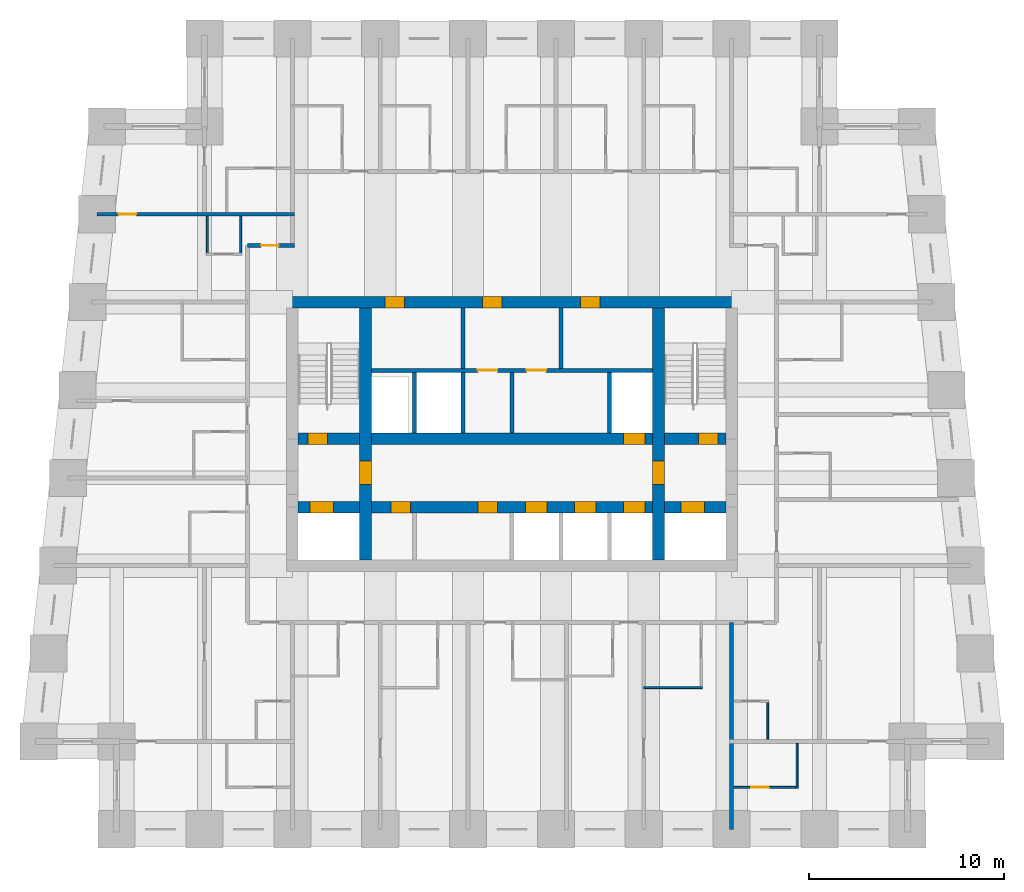
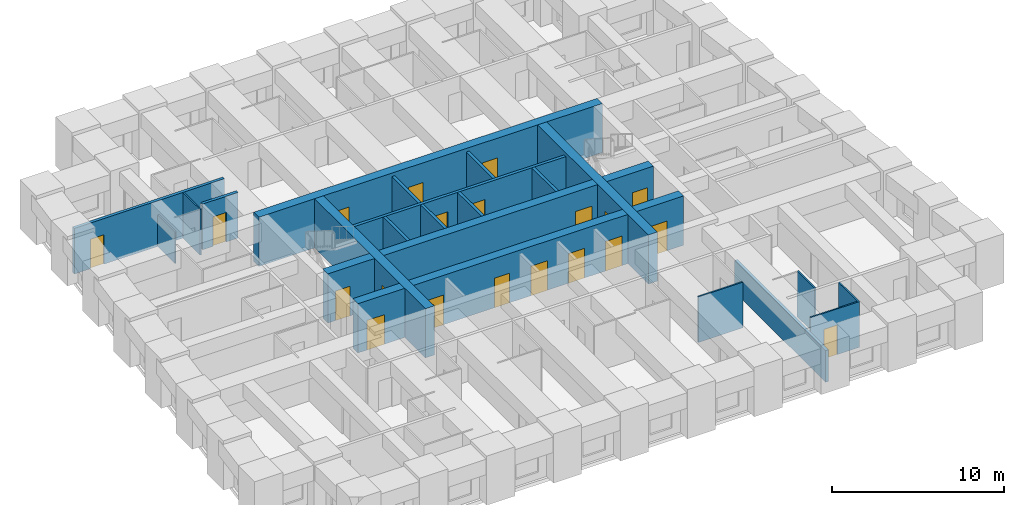
# One storey, part 4 of 8: 21 walls, 20 doors, 20 openings.
"""IFC4 building model written with IfcOpenShell, lengths in metres."""

from ifc_helpers import new_model, si_unit, direction, frame, frame_2d, origin, place, context, subcontext, project, spatial, rectangle, extrude, material, layer, layer_set, type_object, element, fill, save


model = new_model("IFC4")

# Units and contexts
model_context = context("Model", 3, precision=1e-05, world=origin(), true_north=direction((0.0, 1.0)))
body_context = subcontext(model_context, "Body", "Model", "MODEL_VIEW")
ifc_project = project(units=[si_unit("LENGTHUNIT", "METRE"), si_unit("AREAUNIT", "SQUARE_METRE"), si_unit("VOLUMEUNIT", "CUBIC_METRE"), si_unit("PLANEANGLEUNIT", "RADIAN"), si_unit("MASSUNIT", "GRAM", prefix="KILO")], contexts=[model_context])

# Site, building, storey
site_placement = place(None, origin())
site = spatial("IfcSite", under=ifc_project, at=site_placement, CompositionType="ELEMENT")
building_placement = place(site_placement, origin())
building = spatial("IfcBuilding", under=site, at=building_placement, Name="Kilele Tower Hotel", CompositionType="ELEMENT")
storey_placement = place(building_placement, frame((0.0, 0.0, 93.39990234375)))
storey = spatial("IfcBuildingStorey", under=building, at=storey_placement, Name="L23", CompositionType="ELEMENT", Elevation=93.39990234375)

# Walls
ifc_material_1 = material(Name="Moisture-resistant board")
ifc_layer_1 = layer(ifc_material_1, 0.10009765625)
ifc_layer_set_1 = layer_set([ifc_layer_1], Name="Moisture-resistant board")
wall_type_1 = type_object("IfcWallType", Name="Bathroom partition 100", PredefinedType="PLUMBINGWALL", material=ifc_layer_set_1)
wall_1_placement = place(storey_placement, frame((31.5, 7.25, 0.0), z_axis=(0.0, 0.0, 1.0), x_axis=(1.0, 0.0, 0.0)))
element("IfcWall", 1, at=wall_1_placement, inside=storey, type_object=wall_type_1, Name="Bathroom partition 100 L23", PredefinedType="PLUMBINGWALL", context=body_context, shape_type="SweptSolid", body=[
    extrude(rectangle(XDim=3.0, YDim=0.10009765625, at=frame_2d((1.5, 0.0))), origin(), (0.0, 0.0, 1.0), 3.25),
])
wall_2_placement = place(storey_placement, frame((37.85009765625, 4.60009765625, 0.0), z_axis=(0.0, 0.0, 1.0), x_axis=(0.0, 1.0, 0.0)))
element("IfcWall", 2, at=wall_2_placement, inside=storey, type_object=wall_type_1, Name="Bathroom partition 100 L23", PredefinedType="PLUMBINGWALL", context=body_context, shape_type="SweptSolid", body=[
    extrude(rectangle(XDim=2.0, YDim=0.10009765625, at=frame_2d((1.0, 0.0))), origin(), (0.0, 0.0, 1.0), 3.25),
])
wall_3_placement = place(storey_placement, frame((39.35009765625, 4.39990234375, 0.0), z_axis=(0.0, 0.0, 1.0), x_axis=(0.0, -1.0, 0.0)))
element("IfcWall", 3, at=wall_3_placement, inside=storey, type_object=wall_type_1, Name="Bathroom partition 100 L23", PredefinedType="PLUMBINGWALL", context=body_context, shape_type="SweptSolid", body=[
    extrude(rectangle(XDim=2.2998046875, YDim=0.10009765625, at=frame_2d((1.14990234375, 0.0))), origin(), (0.0, 0.0, 1.0), 3.25),
])

# Wall, opening, door
wall_4_placement = place(storey_placement, frame((36.10009765625, 2.14990234375, 0.0), z_axis=(0.0, 0.0, 1.0), x_axis=(1.0, 0.0, 0.0)))
wall_4 = element("IfcWall", 4, at=wall_4_placement, inside=storey, type_object=wall_type_1, Name="Bathroom partition 100 L23", PredefinedType="PLUMBINGWALL", context=body_context, shape_type="SweptSolid", body=[
    extrude(rectangle(XDim=3.2998046875, YDim=0.10009765625, at=frame_2d((1.64990234375, 0.0))), origin(), (0.0, 0.0, 1.0), 3.25),
])
opening_1_placement = place(wall_4_placement, frame((1.7998046875, 0.0, 0.0), z_axis=(0.0, 0.0, 1.0), x_axis=(-1.0, 0.0, 0.0)))
opening_1 = element("IfcOpeningElement", 5, at=opening_1_placement, cuts=wall_4, Name="Opening D2A", PredefinedType="OPENING", context=body_context, shape_type="SweptSolid", body=[
    extrude(rectangle(XDim=0.89990234375, YDim=2.10009765625, at=frame_2d((0.449951171875, 1.050048828125))), frame((0.0, 0.06005859375, 0.0), z_axis=(0.0, -1.0, 0.0), x_axis=(1.0, 0.0, 0.0)), (0.0, 0.0, 1.0), 0.1201171875),
])
ifc_material_2 = material(Name="Timber door leaf in hardwood frame", Category="wood")
door_type_1 = type_object("IfcDoorType", Name="Bathroom door 900", OperationType="SINGLE_SWING_LEFT", PredefinedType="DOOR", material=ifc_material_2)
door_1_placement = place(opening_1_placement, origin())
door_1 = element("IfcDoor", 6, at=door_1_placement, inside=storey, type_object=door_type_1, Name="Bathroom door 2322B", OperationType="SINGLE_SWING_RIGHT", OverallHeight=2.10009765625, OverallWidth=0.89990234375, PredefinedType="DOOR", context=body_context, shape_type="SweptSolid", body=[
    extrude(rectangle(XDim=0.89990234375, YDim=2.10009765625, at=frame_2d((0.449951171875, 1.050048828125))), frame((0.0, 0.02490234375, 0.0), z_axis=(0.0, -1.0, 0.0), x_axis=(1.0, 0.0, 0.0)), (0.0, 0.0, 1.0), 0.050048828125),
])
fill(opening_1, door_1)

# Walls
wall_5_placement = place(storey_placement, frame((9.14990234375, 31.39990234375, 0.0), z_axis=(0.0, 0.0, 1.0), x_axis=(0.0, -1.0, 0.0)))
element("IfcWall", 7, at=wall_5_placement, inside=storey, type_object=wall_type_1, Name="Bathroom partition 100 L23", PredefinedType="PLUMBINGWALL", context=body_context, shape_type="SweptSolid", body=[
    extrude(rectangle(XDim=2.0, YDim=0.10009765625, at=frame_2d((1.0, 0.0))), origin(), (0.0, 0.0, 1.0), 2.25),
])
wall_6_placement = place(storey_placement, frame((10.85009765625, 31.39990234375, 0.0), z_axis=(0.0, 0.0, 1.0), x_axis=(0.0, -1.0, 0.0)))
element("IfcWall", 8, at=wall_6_placement, inside=storey, type_object=wall_type_1, Name="Bathroom partition 100 L23", PredefinedType="PLUMBINGWALL", context=body_context, shape_type="SweptSolid", body=[
    extrude(rectangle(XDim=2.0, YDim=0.10009765625, at=frame_2d((1.0, 0.0))), origin(), (0.0, 0.0, 1.0), 3.25),
])

# Wall, openings, doors
ifc_material_3 = material(Name="Concrete C60/75", Category="concrete")
ifc_layer_2 = layer(ifc_material_3, 0.60009765625)
ifc_layer_set_2 = layer_set([ifc_layer_2], Name="Concrete C60/75")
wall_type_2 = type_object("IfcWallType", Name="Core wall 600 C60/75", PredefinedType="SHEAR", material=ifc_layer_set_2)
wall_7_placement = place(storey_placement, frame((36.300048828125, 27.0, 0.0), z_axis=(0.0, 0.0, 1.0), x_axis=(-1.0, 0.0, 0.0)))
wall_7 = element("IfcWall", 9, at=wall_7_placement, inside=storey, type_object=wall_type_2, Name="Core wall N L23", PredefinedType="SHEAR", context=body_context, shape_type="SweptSolid", body=[
    extrude(rectangle(XDim=23.10009765625, YDim=0.60009765625, at=frame_2d((11.550048828125, 0.0))), origin(), (0.0, 0.0, 1.0), 3.5),
])
opening_2_placement = place(wall_7_placement, frame((17.050048828125, 0.0, 0.0)))
opening_2 = element("IfcOpeningElement", 10, at=opening_2_placement, cuts=wall_7, Name="Opening D6", PredefinedType="OPENING", context=body_context, shape_type="SweptSolid", body=[
    extrude(rectangle(XDim=1.0, YDim=2.10009765625, at=frame_2d((0.5, 1.050048828125))), frame((0.0, 0.31005859375, 0.0), z_axis=(0.0, -1.0, 0.0), x_axis=(1.0, 0.0, 0.0)), (0.0, 0.0, 1.0), 0.6201171875),
])
opening_3_placement = place(wall_7_placement, frame((12.050048828125, 0.0, 0.0)))
opening_3 = element("IfcOpeningElement", 11, at=opening_3_placement, cuts=wall_7, Name="Opening D6", PredefinedType="OPENING", context=body_context, shape_type="SweptSolid", body=[
    extrude(rectangle(XDim=1.0, YDim=2.10009765625, at=frame_2d((0.5, 1.050048828125))), frame((0.0, 0.31005859375, 0.0), z_axis=(0.0, -1.0, 0.0), x_axis=(1.0, 0.0, 0.0)), (0.0, 0.0, 1.0), 0.6201171875),
])
opening_4_placement = place(wall_7_placement, frame((7.050048828125, 0.0, 0.0)))
opening_4 = element("IfcOpeningElement", 12, at=opening_4_placement, cuts=wall_7, Name="Opening D6", PredefinedType="OPENING", context=body_context, shape_type="SweptSolid", body=[
    extrude(rectangle(XDim=1.0, YDim=2.10009765625, at=frame_2d((0.5, 1.050048828125))), frame((0.0, 0.31005859375, 0.0), z_axis=(0.0, -1.0, 0.0), x_axis=(1.0, 0.0, 0.0)), (0.0, 0.0, 1.0), 0.6201171875),
])
ifc_material_4 = material(Name="Timber door leaf in hardwood frame", Category="wood")
door_type_2 = type_object("IfcDoorType", Name="Riser door 1000", OperationType="SINGLE_SWING_LEFT", PredefinedType="DOOR", material=ifc_material_4)
door_2_placement = place(opening_2_placement, origin())
door_2 = element("IfcDoor", 13, at=door_2_placement, inside=storey, type_object=door_type_2, Name="Service riser door L23", OperationType="SINGLE_SWING_RIGHT", OverallHeight=2.10009765625, OverallWidth=1.0, PredefinedType="DOOR", context=body_context, shape_type="SweptSolid", body=[
    extrude(rectangle(XDim=1.0, YDim=2.10009765625, at=frame_2d((0.5, 1.050048828125))), frame((0.0, 0.2998046875, 0.0), z_axis=(0.0, -1.0, 0.0), x_axis=(1.0, 0.0, 0.0)), (0.0, 0.0, 1.0), 0.599609375),
])
fill(opening_2, door_2)
door_3_placement = place(opening_3_placement, origin())
door_3 = element("IfcDoor", 14, at=door_3_placement, inside=storey, type_object=door_type_2, Name="Housekeeping store door L23", OperationType="SINGLE_SWING_RIGHT", OverallHeight=2.10009765625, OverallWidth=1.0, PredefinedType="DOOR", context=body_context, shape_type="SweptSolid", body=[
    extrude(rectangle(XDim=1.0, YDim=2.10009765625, at=frame_2d((0.5, 1.050048828125))), frame((0.0, 0.2998046875, 0.0), z_axis=(0.0, -1.0, 0.0), x_axis=(1.0, 0.0, 0.0)), (0.0, 0.0, 1.0), 0.599609375),
])
fill(opening_3, door_3)
door_4_placement = place(opening_4_placement, origin())
door_4 = element("IfcDoor", 15, at=door_4_placement, inside=storey, type_object=door_type_2, Name="Electrical riser door L23", OperationType="SINGLE_SWING_RIGHT", OverallHeight=2.10009765625, OverallWidth=1.0, PredefinedType="DOOR", context=body_context, shape_type="SweptSolid", body=[
    extrude(rectangle(XDim=1.0, YDim=2.10009765625, at=frame_2d((0.5, 1.050048828125))), frame((0.0, 0.2998046875, 0.0), z_axis=(0.0, -1.0, 0.0), x_axis=(1.0, 0.0, 0.0)), (0.0, 0.0, 1.0), 0.599609375),
])
fill(opening_4, door_4)

# Wall, opening, door
wall_8_placement = place(storey_placement, frame((17.25, 13.800048828125, 0.0), z_axis=(0.0, 0.0, 1.0), x_axis=(0.0, 1.0, 0.0)))
wall_8 = element("IfcWall", 16, at=wall_8_placement, inside=storey, type_object=wall_type_2, Name="Core wall IW L23", PredefinedType="SHEAR", context=body_context, shape_type="SweptSolid", body=[
    extrude(rectangle(XDim=12.89990234375, YDim=0.60009765625, at=frame_2d((6.449951171875, 0.0))), origin(), (0.0, 0.0, 1.0), 3.5),
])
opening_5_placement = place(wall_8_placement, frame((3.85009765625, 0.0, 0.0)))
opening_5 = element("IfcOpeningElement", 17, at=opening_5_placement, cuts=wall_8, Name="Opening D4", PredefinedType="OPENING", context=body_context, shape_type="SweptSolid", body=[
    extrude(rectangle(XDim=1.199951171875, YDim=2.10009765625, at=frame_2d((0.60009765625, 1.050048828125))), frame((0.0, 0.31005859375, 0.0), z_axis=(0.0, -1.0, 0.0), x_axis=(1.0, 0.0, 0.0)), (0.0, 0.0, 1.0), 0.6201171875),
])
ifc_material_5 = material(Name="Timber door leaf in hardwood frame", Category="wood")
door_type_3 = type_object("IfcDoorType", Name="Firefighting lobby door 1200", OperationType="SINGLE_SWING_LEFT", PredefinedType="DOOR", material=ifc_material_5)
door_5_placement = place(opening_5_placement, origin())
door_5 = element("IfcDoor", 18, at=door_5_placement, inside=storey, type_object=door_type_3, Name="Lobby door L23", OperationType="SINGLE_SWING_LEFT", OverallHeight=2.10009765625, OverallWidth=1.199951171875, PredefinedType="DOOR", context=body_context, shape_type="SweptSolid", body=[
    extrude(rectangle(XDim=1.199951171875, YDim=2.10009765625, at=frame_2d((0.60009765625, 1.050048828125))), frame((0.0, 0.2998046875, 0.0), z_axis=(0.0, -1.0, 0.0), x_axis=(1.0, 0.0, 0.0)), (0.0, 0.0, 1.0), 0.599609375),
])
fill(opening_5, door_5)

wall_9_placement = place(storey_placement, frame((32.25, 13.800048828125, 0.0), z_axis=(0.0, 0.0, 1.0), x_axis=(0.0, 1.0, 0.0)))
wall_9 = element("IfcWall", 19, at=wall_9_placement, inside=storey, type_object=wall_type_2, Name="Core wall IE L23", PredefinedType="SHEAR", context=body_context, shape_type="SweptSolid", body=[
    extrude(rectangle(XDim=12.89990234375, YDim=0.60009765625, at=frame_2d((6.449951171875, 0.0))), origin(), (0.0, 0.0, 1.0), 3.5),
])
opening_6_placement = place(wall_9_placement, frame((5.050048828125, 0.0, 0.0), z_axis=(0.0, 0.0, 1.0), x_axis=(-1.0, 0.0, 0.0)))
opening_6 = element("IfcOpeningElement", 20, at=opening_6_placement, cuts=wall_9, Name="Opening D4", PredefinedType="OPENING", context=body_context, shape_type="SweptSolid", body=[
    extrude(rectangle(XDim=1.199951171875, YDim=2.10009765625, at=frame_2d((0.60009765625, 1.050048828125))), frame((0.0, 0.31005859375, 0.0), z_axis=(0.0, -1.0, 0.0), x_axis=(1.0, 0.0, 0.0)), (0.0, 0.0, 1.0), 0.6201171875),
])
door_6_placement = place(opening_6_placement, origin())
door_6 = element("IfcDoor", 21, at=door_6_placement, inside=storey, type_object=door_type_3, Name="Lobby door L23", OperationType="SINGLE_SWING_RIGHT", OverallHeight=2.10009765625, OverallWidth=1.199951171875, PredefinedType="DOOR", context=body_context, shape_type="SweptSolid", body=[
    extrude(rectangle(XDim=1.199951171875, YDim=2.10009765625, at=frame_2d((0.60009765625, 1.050048828125))), frame((0.0, 0.2998046875, 0.0), z_axis=(0.0, -1.0, 0.0), x_axis=(1.0, 0.0, 0.0)), (0.0, 0.0, 1.0), 0.599609375),
])
fill(opening_6, door_6)

# Wall, openings, doors
wall_10_placement = place(storey_placement, frame((13.800048828125, 16.5, 0.0), z_axis=(0.0, 0.0, 1.0), x_axis=(1.0, 0.0, 0.0)))
wall_10 = element("IfcWall", 22, at=wall_10_placement, inside=storey, type_object=wall_type_2, Name="Core wall LS L23", PredefinedType="SHEAR", context=body_context, shape_type="SweptSolid", body=[
    extrude(rectangle(XDim=21.89990234375, YDim=0.60009765625, at=frame_2d((10.949951171875, 0.0))), origin(), (0.0, 0.0, 1.0), 3.5),
])
opening_7_placement = place(wall_10_placement, frame((11.64990234375, 0.0, 0.0)))
opening_7 = element("IfcOpeningElement", 23, at=opening_7_placement, cuts=wall_10, Name="Opening LD1", PredefinedType="OPENING", context=body_context, shape_type="SweptSolid", body=[
    extrude(rectangle(XDim=1.10009765625, YDim=2.10009765625, at=frame_2d((0.550048828125, 1.050048828125))), frame((0.0, 0.31005859375, 0.0), z_axis=(0.0, -1.0, 0.0), x_axis=(1.0, 0.0, 0.0)), (0.0, 0.0, 1.0), 0.6201171875),
])
opening_8_placement = place(wall_10_placement, frame((14.14990234375, 0.0, 0.0)))
opening_8 = element("IfcOpeningElement", 24, at=opening_8_placement, cuts=wall_10, Name="Opening LD1", PredefinedType="OPENING", context=body_context, shape_type="SweptSolid", body=[
    extrude(rectangle(XDim=1.10009765625, YDim=2.10009765625, at=frame_2d((0.550048828125, 1.050048828125))), frame((0.0, 0.31005859375, 0.0), z_axis=(0.0, -1.0, 0.0), x_axis=(1.0, 0.0, 0.0)), (0.0, 0.0, 1.0), 0.6201171875),
])
opening_9_placement = place(wall_10_placement, frame((16.64990234375, 0.0, 0.0)))
opening_9 = element("IfcOpeningElement", 25, at=opening_9_placement, cuts=wall_10, Name="Opening LD1", PredefinedType="OPENING", context=body_context, shape_type="SweptSolid", body=[
    extrude(rectangle(XDim=1.10009765625, YDim=2.10009765625, at=frame_2d((0.550048828125, 1.050048828125))), frame((0.0, 0.31005859375, 0.0), z_axis=(0.0, -1.0, 0.0), x_axis=(1.0, 0.0, 0.0)), (0.0, 0.0, 1.0), 0.6201171875),
])
opening_10_placement = place(wall_10_placement, frame((5.75, 0.0, 0.0), z_axis=(0.0, 0.0, 1.0), x_axis=(-1.0, 0.0, 0.0)))
opening_10 = element("IfcOpeningElement", 26, at=opening_10_placement, cuts=wall_10, Name="Opening D11", PredefinedType="OPENING", context=body_context, shape_type="SweptSolid", body=[
    extrude(rectangle(XDim=1.0, YDim=2.10009765625, at=frame_2d((0.5, 1.050048828125))), frame((0.0, 0.31005859375, 0.0), z_axis=(0.0, -1.0, 0.0), x_axis=(1.0, 0.0, 0.0)), (0.0, 0.0, 1.0), 0.6201171875),
])
opening_11_placement = place(wall_10_placement, frame((10.199951171875, 0.0, 0.0), z_axis=(0.0, 0.0, 1.0), x_axis=(-1.0, 0.0, 0.0)))
opening_11 = element("IfcOpeningElement", 27, at=opening_11_placement, cuts=wall_10, Name="Opening D11", PredefinedType="OPENING", context=body_context, shape_type="SweptSolid", body=[
    extrude(rectangle(XDim=1.0, YDim=2.10009765625, at=frame_2d((0.5, 1.050048828125))), frame((0.0, 0.31005859375, 0.0), z_axis=(0.0, -1.0, 0.0), x_axis=(1.0, 0.0, 0.0)), (0.0, 0.0, 1.0), 0.6201171875),
])
opening_12_placement = place(wall_10_placement, frame((0.60009765625, 0.0, 0.0)))
opening_12 = element("IfcOpeningElement", 28, at=opening_12_placement, cuts=wall_10, Name="Opening LD2", PredefinedType="OPENING", context=body_context, shape_type="SweptSolid", body=[
    extrude(rectangle(XDim=1.199951171875, YDim=2.10009765625, at=frame_2d((0.60009765625, 1.050048828125))), frame((0.0, 0.31005859375, 0.0), z_axis=(0.0, -1.0, 0.0), x_axis=(1.0, 0.0, 0.0)), (0.0, 0.0, 1.0), 0.6201171875),
])
opening_13_placement = place(wall_10_placement, frame((19.60009765625, 0.0, 0.0)))
opening_13 = element("IfcOpeningElement", 29, at=opening_13_placement, cuts=wall_10, Name="Opening LD2", PredefinedType="OPENING", context=body_context, shape_type="SweptSolid", body=[
    extrude(rectangle(XDim=1.199951171875, YDim=2.10009765625, at=frame_2d((0.60009765625, 1.050048828125))), frame((0.0, 0.31005859375, 0.0), z_axis=(0.0, -1.0, 0.0), x_axis=(1.0, 0.0, 0.0)), (0.0, 0.0, 1.0), 0.6201171875),
])
ifc_material_6 = material(Name="Timber door leaf in hardwood frame", Category="wood")
door_type_4 = type_object("IfcDoorType", Name="Core store door 1000", OperationType="SINGLE_SWING_LEFT", PredefinedType="DOOR", material=ifc_material_6)
door_7_placement = place(opening_10_placement, origin())
door_7 = element("IfcDoor", 30, at=door_7_placement, inside=storey, type_object=door_type_4, Name="Core room door L1 L23", OperationType="SINGLE_SWING_LEFT", OverallHeight=2.10009765625, OverallWidth=1.0, PredefinedType="DOOR", context=body_context, shape_type="SweptSolid", body=[
    extrude(rectangle(XDim=1.0, YDim=2.10009765625, at=frame_2d((0.5, 1.050048828125))), frame((0.0, 0.2998046875, 0.0), z_axis=(0.0, -1.0, 0.0), x_axis=(1.0, 0.0, 0.0)), (0.0, 0.0, 1.0), 0.599609375),
])
fill(opening_10, door_7)
door_8_placement = place(opening_11_placement, origin())
door_8 = element("IfcDoor", 31, at=door_8_placement, inside=storey, type_object=door_type_4, Name="Core room door L3 L23", OperationType="SINGLE_SWING_LEFT", OverallHeight=2.10009765625, OverallWidth=1.0, PredefinedType="DOOR", context=body_context, shape_type="SweptSolid", body=[
    extrude(rectangle(XDim=1.0, YDim=2.10009765625, at=frame_2d((0.5, 1.050048828125))), frame((0.0, 0.2998046875, 0.0), z_axis=(0.0, -1.0, 0.0), x_axis=(1.0, 0.0, 0.0)), (0.0, 0.0, 1.0), 0.599609375),
])
fill(opening_11, door_8)
ifc_material_7 = material(Name="Steel lift landing door", Category="steel")
door_type_5 = type_object("IfcDoorType", Name="Firefighting lift landing door 1200", OperationType="SLIDING_TO_LEFT", PredefinedType="DOOR", material=ifc_material_7)
door_9_placement = place(opening_12_placement, origin())
door_9 = element("IfcDoor", 32, at=door_9_placement, inside=storey, type_object=door_type_5, Name="Landing door FFW L23", OperationType="SLIDING_TO_LEFT", OverallHeight=2.10009765625, OverallWidth=1.199951171875, PredefinedType="DOOR", context=body_context, shape_type="SweptSolid", body=[
    extrude(rectangle(XDim=1.199951171875, YDim=2.10009765625, at=frame_2d((0.60009765625, 1.050048828125))), frame((0.0, 0.2998046875, 0.0), z_axis=(0.0, -1.0, 0.0), x_axis=(1.0, 0.0, 0.0)), (0.0, 0.0, 1.0), 0.599609375),
])
fill(opening_12, door_9)
door_10_placement = place(opening_13_placement, origin())
door_10 = element("IfcDoor", 33, at=door_10_placement, inside=storey, type_object=door_type_5, Name="Landing door FFE L23", OperationType="SLIDING_TO_LEFT", OverallHeight=2.10009765625, OverallWidth=1.199951171875, PredefinedType="DOOR", context=body_context, shape_type="SweptSolid", body=[
    extrude(rectangle(XDim=1.199951171875, YDim=2.10009765625, at=frame_2d((0.60009765625, 1.050048828125))), frame((0.0, 0.2998046875, 0.0), z_axis=(0.0, -1.0, 0.0), x_axis=(1.0, 0.0, 0.0)), (0.0, 0.0, 1.0), 0.599609375),
])
fill(opening_13, door_10)
ifc_material_8 = material(Name="Steel lift landing door", Category="steel")
door_type_6 = type_object("IfcDoorType", Name="Lift landing door 1100", OperationType="SLIDING_TO_LEFT", PredefinedType="DOOR", material=ifc_material_8)
door_11_placement = place(opening_7_placement, origin())
door_11 = element("IfcDoor", 34, at=door_11_placement, inside=storey, type_object=door_type_6, Name="Landing door M1 L23", OperationType="SLIDING_TO_LEFT", OverallHeight=2.10009765625, OverallWidth=1.10009765625, PredefinedType="DOOR", context=body_context, shape_type="SweptSolid", body=[
    extrude(rectangle(XDim=1.10009765625, YDim=2.10009765625, at=frame_2d((0.550048828125, 1.050048828125))), frame((0.0, 0.2998046875, 0.0), z_axis=(0.0, -1.0, 0.0), x_axis=(1.0, 0.0, 0.0)), (0.0, 0.0, 1.0), 0.599609375),
])
fill(opening_7, door_11)
door_12_placement = place(opening_8_placement, origin())
door_12 = element("IfcDoor", 35, at=door_12_placement, inside=storey, type_object=door_type_6, Name="Landing door M2 L23", OperationType="SLIDING_TO_LEFT", OverallHeight=2.10009765625, OverallWidth=1.10009765625, PredefinedType="DOOR", context=body_context, shape_type="SweptSolid", body=[
    extrude(rectangle(XDim=1.10009765625, YDim=2.10009765625, at=frame_2d((0.550048828125, 1.050048828125))), frame((0.0, 0.2998046875, 0.0), z_axis=(0.0, -1.0, 0.0), x_axis=(1.0, 0.0, 0.0)), (0.0, 0.0, 1.0), 0.599609375),
])
fill(opening_8, door_12)
door_13_placement = place(opening_9_placement, origin())
door_13 = element("IfcDoor", 36, at=door_13_placement, inside=storey, type_object=door_type_6, Name="Landing door M3 L23", OperationType="SLIDING_TO_LEFT", OverallHeight=2.10009765625, OverallWidth=1.10009765625, PredefinedType="DOOR", context=body_context, shape_type="SweptSolid", body=[
    extrude(rectangle(XDim=1.10009765625, YDim=2.10009765625, at=frame_2d((0.550048828125, 1.050048828125))), frame((0.0, 0.2998046875, 0.0), z_axis=(0.0, -1.0, 0.0), x_axis=(1.0, 0.0, 0.0)), (0.0, 0.0, 1.0), 0.599609375),
])
fill(opening_9, door_13)

wall_11_placement = place(storey_placement, frame((13.800048828125, 20.0, 0.0), z_axis=(0.0, 0.0, 1.0), x_axis=(1.0, 0.0, 0.0)))
wall_11 = element("IfcWall", 37, at=wall_11_placement, inside=storey, type_object=wall_type_2, Name="Core wall LN L23", PredefinedType="SHEAR", context=body_context, shape_type="SweptSolid", body=[
    extrude(rectangle(XDim=21.89990234375, YDim=0.60009765625, at=frame_2d((10.949951171875, 0.0))), origin(), (0.0, 0.0, 1.0), 3.5),
])
opening_14_placement = place(wall_11_placement, frame((0.5, 0.0, 0.0)))
opening_14 = element("IfcOpeningElement", 38, at=opening_14_placement, cuts=wall_11, Name="Opening D5", PredefinedType="OPENING", context=body_context, shape_type="SweptSolid", body=[
    extrude(rectangle(XDim=1.0, YDim=2.10009765625, at=frame_2d((0.5, 1.050048828125))), frame((0.0, 0.31005859375, 0.0), z_axis=(0.0, -1.0, 0.0), x_axis=(1.0, 0.0, 0.0)), (0.0, 0.0, 1.0), 0.6201171875),
])
opening_15_placement = place(wall_11_placement, frame((20.5, 0.0, 0.0)))
opening_15 = element("IfcOpeningElement", 39, at=opening_15_placement, cuts=wall_11, Name="Opening D5", PredefinedType="OPENING", context=body_context, shape_type="SweptSolid", body=[
    extrude(rectangle(XDim=1.0, YDim=2.10009765625, at=frame_2d((0.5, 1.050048828125))), frame((0.0, 0.31005859375, 0.0), z_axis=(0.0, -1.0, 0.0), x_axis=(1.0, 0.0, 0.0)), (0.0, 0.0, 1.0), 0.6201171875),
])
opening_16_placement = place(wall_11_placement, frame((16.64990234375, 0.0, 0.0)))
opening_16 = element("IfcOpeningElement", 40, at=opening_16_placement, cuts=wall_11, Name="Opening LD1", PredefinedType="OPENING", context=body_context, shape_type="SweptSolid", body=[
    extrude(rectangle(XDim=1.10009765625, YDim=2.10009765625, at=frame_2d((0.550048828125, 1.050048828125))), frame((0.0, 0.31005859375, 0.0), z_axis=(0.0, -1.0, 0.0), x_axis=(1.0, 0.0, 0.0)), (0.0, 0.0, 1.0), 0.6201171875),
])
door_14_placement = place(opening_16_placement, origin())
door_14 = element("IfcDoor", 41, at=door_14_placement, inside=storey, type_object=door_type_6, Name="Landing door G1 L23", OperationType="SLIDING_TO_LEFT", OverallHeight=2.10009765625, OverallWidth=1.10009765625, PredefinedType="DOOR", context=body_context, shape_type="SweptSolid", body=[
    extrude(rectangle(XDim=1.10009765625, YDim=2.10009765625, at=frame_2d((0.550048828125, 1.050048828125))), frame((0.0, 0.2998046875, 0.0), z_axis=(0.0, -1.0, 0.0), x_axis=(1.0, 0.0, 0.0)), (0.0, 0.0, 1.0), 0.599609375),
])
fill(opening_16, door_14)
ifc_material_9 = material(Name="Timber door leaf in hardwood frame", Category="wood")
door_type_7 = type_object("IfcDoorType", Name="Stair door 1000", OperationType="SINGLE_SWING_LEFT", PredefinedType="DOOR", material=ifc_material_9)
door_15_placement = place(opening_14_placement, origin())
door_15 = element("IfcDoor", 42, at=door_15_placement, inside=storey, type_object=door_type_7, Name="Stair 1 door L23", OperationType="SINGLE_SWING_LEFT", OverallHeight=2.10009765625, OverallWidth=1.0, PredefinedType="DOOR", context=body_context, shape_type="SweptSolid", body=[
    extrude(rectangle(XDim=1.0, YDim=2.10009765625, at=frame_2d((0.5, 1.050048828125))), frame((0.0, 0.2998046875, 0.0), z_axis=(0.0, -1.0, 0.0), x_axis=(1.0, 0.0, 0.0)), (0.0, 0.0, 1.0), 0.599609375),
])
fill(opening_14, door_15)
door_16_placement = place(opening_15_placement, origin())
door_16 = element("IfcDoor", 43, at=door_16_placement, inside=storey, type_object=door_type_7, Name="Stair 2 door L23", OperationType="SINGLE_SWING_RIGHT", OverallHeight=2.10009765625, OverallWidth=1.0, PredefinedType="DOOR", context=body_context, shape_type="SweptSolid", body=[
    extrude(rectangle(XDim=1.0, YDim=2.10009765625, at=frame_2d((0.5, 1.050048828125))), frame((0.0, 0.2998046875, 0.0), z_axis=(0.0, -1.0, 0.0), x_axis=(1.0, 0.0, 0.0)), (0.0, 0.0, 1.0), 0.599609375),
])
fill(opening_15, door_16)

# Wall, opening, door
ifc_material_10 = material(Name="Blockwork, plastered both sides", Category="masonry")
ifc_layer_3 = layer(ifc_material_10, 0.199951171875)
ifc_layer_set_3 = layer_set([ifc_layer_3], Name="Blockwork, plastered both sides")
wall_type_3 = type_object("IfcWallType", Name="Corridor wall 200", PredefinedType="PARTITIONING", material=ifc_layer_set_3)
wall_12_placement = place(storey_placement, frame((11.199951171875, 29.89990234375, 0.0), z_axis=(0.0, 0.0, 1.0), x_axis=(1.0, 0.0, 0.0)))
wall_12 = element("IfcWall", 44, at=wall_12_placement, inside=storey, type_object=wall_type_3, Name="Corridor wall 200 L23", PredefinedType="PARTITIONING", context=body_context, shape_type="SweptSolid", body=[
    extrude(rectangle(XDim=2.400146484375, YDim=0.199951171875, at=frame_2d((1.2001953125, 0.0))), origin(), (0.0, 0.0, 1.0), 3.25),
])
opening_17_placement = place(wall_12_placement, frame((0.699951171875, 0.0, 0.0)))
opening_17 = element("IfcOpeningElement", 45, at=opening_17_placement, cuts=wall_12, Name="Opening D1", PredefinedType="OPENING", context=body_context, shape_type="SweptSolid", body=[
    extrude(rectangle(XDim=0.89990234375, YDim=2.10009765625, at=frame_2d((0.449951171875, 1.050048828125))), frame((0.0, 0.10986328125, 0.0), z_axis=(0.0, -1.0, 0.0), x_axis=(1.0, 0.0, 0.0)), (0.0, 0.0, 1.0), 0.219970703125),
])
ifc_material_11 = material(Name="Timber door leaf in hardwood frame", Category="wood")
door_type_8 = type_object("IfcDoorType", Name="Guest room entrance door 900", OperationType="SINGLE_SWING_LEFT", PredefinedType="DOOR", material=ifc_material_11)
door_17_placement = place(opening_17_placement, origin())
door_17 = element("IfcDoor", 46, at=door_17_placement, inside=storey, type_object=door_type_8, Name="Room entrance 2326", OperationType="SINGLE_SWING_RIGHT", OverallHeight=2.10009765625, OverallWidth=0.89990234375, PredefinedType="DOOR", context=body_context, shape_type="SweptSolid", body=[
    extrude(rectangle(XDim=0.89990234375, YDim=2.10009765625, at=frame_2d((0.449951171875, 1.050048828125))), frame((0.0, 0.02490234375, 0.0), z_axis=(0.0, -1.0, 0.0), x_axis=(1.0, 0.0, 0.0)), (0.0, 0.0, 1.0), 0.050048828125),
])
fill(opening_17, door_17)

# Wall
ifc_material_12 = material(Name="Blockwork, plastered both sides", Category="masonry")
ifc_layer_4 = layer(ifc_material_12, 0.199951171875)
ifc_layer_set_4 = layer_set([ifc_layer_4], Name="Blockwork, plastered both sides")
wall_type_4 = type_object("IfcWallType", Name="Party wall 200", PredefinedType="PARTITIONING", material=ifc_layer_set_4)
wall_13_placement = place(storey_placement, frame((36.0, 10.60009765625, 0.0), z_axis=(0.0, 0.0, 1.0), x_axis=(0.0, -1.0, 0.0)))
element("IfcWall", 47, at=wall_13_placement, inside=storey, type_object=wall_type_4, Name="Party wall 200 L23", PredefinedType="PARTITIONING", context=body_context, shape_type="SweptSolid", body=[
    extrude(rectangle(XDim=10.60009765625, YDim=0.199951171875, at=frame_2d((5.300048828125, 0.0))), origin(), (0.0, 0.0, 1.0), 2.25),
])

# Wall, opening, door
wall_14_placement = place(storey_placement, frame((13.60009765625, 31.5, 0.0), z_axis=(0.0, 0.0, 1.0), x_axis=(-1.0, 0.0, 0.0)))
wall_14 = element("IfcWall", 48, at=wall_14_placement, inside=storey, type_object=wall_type_4, Name="Party wall 200 L23", PredefinedType="PARTITIONING", context=body_context, shape_type="SweptSolid", body=[
    extrude(rectangle(XDim=10.09912109375, YDim=0.199951171875, at=frame_2d((5.049560546875, 0.0))), origin(), (0.0, 0.0, 1.0), 3.25),
])
opening_18_placement = place(wall_14_placement, frame((8.9990234375, 0.0, 0.0), z_axis=(0.0, 0.0, 1.0), x_axis=(-1.0, 0.0, 0.0)))
opening_18 = element("IfcOpeningElement", 49, at=opening_18_placement, cuts=wall_14, Name="Opening D3", PredefinedType="OPENING", context=body_context, shape_type="SweptSolid", body=[
    extrude(rectangle(XDim=0.89990234375, YDim=2.10009765625, at=frame_2d((0.449951171875, 1.050048828125))), frame((0.0, 0.10986328125, 0.0), z_axis=(0.0, -1.0, 0.0), x_axis=(1.0, 0.0, 0.0)), (0.0, 0.0, 1.0), 0.219970703125),
])
ifc_material_13 = material(Name="Timber door leaf in hardwood frame", Category="wood")
door_type_9 = type_object("IfcDoorType", Name="Suite internal door 900", OperationType="SINGLE_SWING_LEFT", PredefinedType="DOOR", material=ifc_material_13)
door_18_placement = place(opening_18_placement, origin())
door_18 = element("IfcDoor", 50, at=door_18_placement, inside=storey, type_object=door_type_9, Name="Suite door 2327", OperationType="SINGLE_SWING_LEFT", OverallHeight=2.10009765625, OverallWidth=0.89990234375, PredefinedType="DOOR", context=body_context, shape_type="SweptSolid", body=[
    extrude(rectangle(XDim=0.89990234375, YDim=2.10009765625, at=frame_2d((0.449951171875, 1.050048828125))), frame((0.0, 0.02490234375, 0.0), z_axis=(0.0, -1.0, 0.0), x_axis=(1.0, 0.0, 0.0)), (0.0, 0.0, 1.0), 0.050048828125),
])
fill(opening_18, door_18)

# Walls
ifc_material_14 = material(Name="Blockwork, fire-rated", Category="masonry")
ifc_layer_5 = layer(ifc_material_14, 0.199951171875)
ifc_layer_set_5 = layer_set([ifc_layer_5], Name="Blockwork, fire-rated")
wall_type_5 = type_object("IfcWallType", Name="Shaft wall 200", PredefinedType="PARTITIONING", material=ifc_layer_set_5)
for number, where, z_axis, x_axis, name in (
    (51, (19.75, 20.300048828125, 0.0), (0.0, 0.0, 1.0), (0.0, 1.0, 0.0), "Shaft wall 200 L23"),
    (52, (22.25, 20.300048828125, 0.0), (0.0, 0.0, 1.0), (0.0, 1.0, 0.0), "Shaft wall 200 L23"),
    (53, (24.75, 20.300048828125, 0.0), (0.0, 0.0, 1.0), (0.0, 1.0, 0.0), "Shaft wall 200 L23"),
    (54, (29.75, 20.300048828125, 0.0), (0.0, 0.0, 1.0), (0.0, 1.0, 0.0), "Shaft wall 200 L23"),
):
    element("IfcWall", number, at=place(storey_placement, frame(where, z_axis=z_axis, x_axis=x_axis)), inside=storey, type_object=wall_type_5, Name=name, PredefinedType="PARTITIONING", context=body_context, shape_type="SweptSolid", body=[
        extrude(rectangle(XDim=3.099853515625, YDim=0.199951171875, at=frame_2d((1.5498046875, 0.0))), origin(), (0.0, 0.0, 1.0), 3.25),
    ])

# Wall, openings, doors
wall_15_placement = place(storey_placement, frame((17.550048828125, 23.5, 0.0), z_axis=(0.0, 0.0, 1.0), x_axis=(1.0, 0.0, 0.0)))
wall_15 = element("IfcWall", 55, at=wall_15_placement, inside=storey, type_object=wall_type_5, Name="Shaft wall 200 L23", PredefinedType="PARTITIONING", context=body_context, shape_type="SweptSolid", body=[
    extrude(rectangle(XDim=14.39990234375, YDim=0.199951171875, at=frame_2d((7.199951171875, 0.0))), origin(), (0.0, 0.0, 1.0), 3.25),
])
opening_19_placement = place(wall_15_placement, frame((6.449951171875, 0.0, 0.0), z_axis=(0.0, 0.0, 1.0), x_axis=(-1.0, 0.0, 0.0)))
opening_19 = element("IfcOpeningElement", 56, at=opening_19_placement, cuts=wall_15, Name="Opening D11", PredefinedType="OPENING", context=body_context, shape_type="SweptSolid", body=[
    extrude(rectangle(XDim=1.0, YDim=2.10009765625, at=frame_2d((0.5, 1.050048828125))), frame((0.0, 0.10986328125, 0.0), z_axis=(0.0, -1.0, 0.0), x_axis=(1.0, 0.0, 0.0)), (0.0, 0.0, 1.0), 0.219970703125),
])
opening_20_placement = place(wall_15_placement, frame((7.949951171875, 0.0, 0.0)))
opening_20 = element("IfcOpeningElement", 57, at=opening_20_placement, cuts=wall_15, Name="Opening D11", PredefinedType="OPENING", context=body_context, shape_type="SweptSolid", body=[
    extrude(rectangle(XDim=1.0, YDim=2.10009765625, at=frame_2d((0.5, 1.050048828125))), frame((0.0, 0.10986328125, 0.0), z_axis=(0.0, -1.0, 0.0), x_axis=(1.0, 0.0, 0.0)), (0.0, 0.0, 1.0), 0.219970703125),
])
door_19_placement = place(opening_19_placement, origin())
door_19 = element("IfcDoor", 58, at=door_19_placement, inside=storey, type_object=door_type_4, Name="Core room door H1", OperationType="SINGLE_SWING_RIGHT", OverallHeight=2.10009765625, OverallWidth=1.0, PredefinedType="DOOR", context=body_context, shape_type="SweptSolid", body=[
    extrude(rectangle(XDim=1.0, YDim=2.10009765625, at=frame_2d((0.5, 1.050048828125))), frame((0.0, 0.02490234375, 0.0), z_axis=(0.0, -1.0, 0.0), x_axis=(1.0, 0.0, 0.0)), (0.0, 0.0, 1.0), 0.050048828125),
])
fill(opening_19, door_19)
door_20_placement = place(opening_20_placement, origin())
door_20 = element("IfcDoor", 59, at=door_20_placement, inside=storey, type_object=door_type_4, Name="Core room door H2", OperationType="SINGLE_SWING_RIGHT", OverallHeight=2.10009765625, OverallWidth=1.0, PredefinedType="DOOR", context=body_context, shape_type="SweptSolid", body=[
    extrude(rectangle(XDim=1.0, YDim=2.10009765625, at=frame_2d((0.5, 1.050048828125))), frame((0.0, 0.02490234375, 0.0), z_axis=(0.0, -1.0, 0.0), x_axis=(1.0, 0.0, 0.0)), (0.0, 0.0, 1.0), 0.050048828125),
])
fill(opening_20, door_20)

# Walls
for number, where, z_axis, x_axis, name in (
    (60, (22.25, 23.60009765625, 0.0), (0.0, 0.0, 1.0), (0.0, 1.0, 0.0), "Shaft wall 200 L23"),
    (61, (27.25, 23.60009765625, 0.0), (0.0, 0.0, 1.0), (0.0, 1.0, 0.0), "Shaft wall 200 L23"),
):
    element("IfcWall", number, at=place(storey_placement, frame(where, z_axis=z_axis, x_axis=x_axis)), inside=storey, type_object=wall_type_5, Name=name, PredefinedType="PARTITIONING", context=body_context, shape_type="SweptSolid", body=[
        extrude(rectangle(XDim=3.099853515625, YDim=0.199951171875, at=frame_2d((1.5498046875, 0.0))), origin(), (0.0, 0.0, 1.0), 3.25),
    ])

save(model, "model.ifc")
